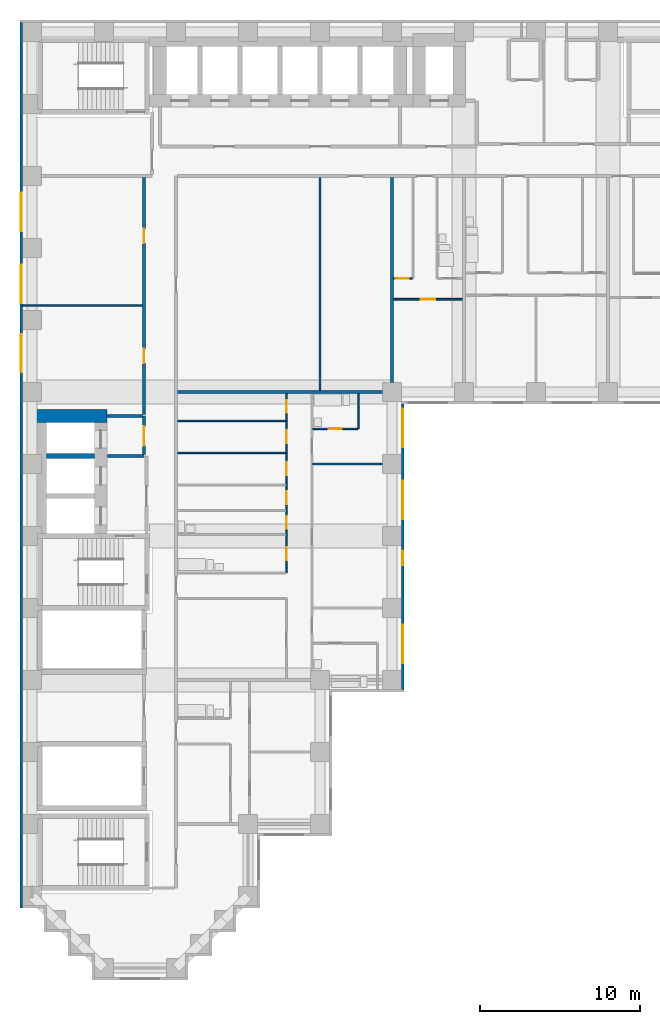
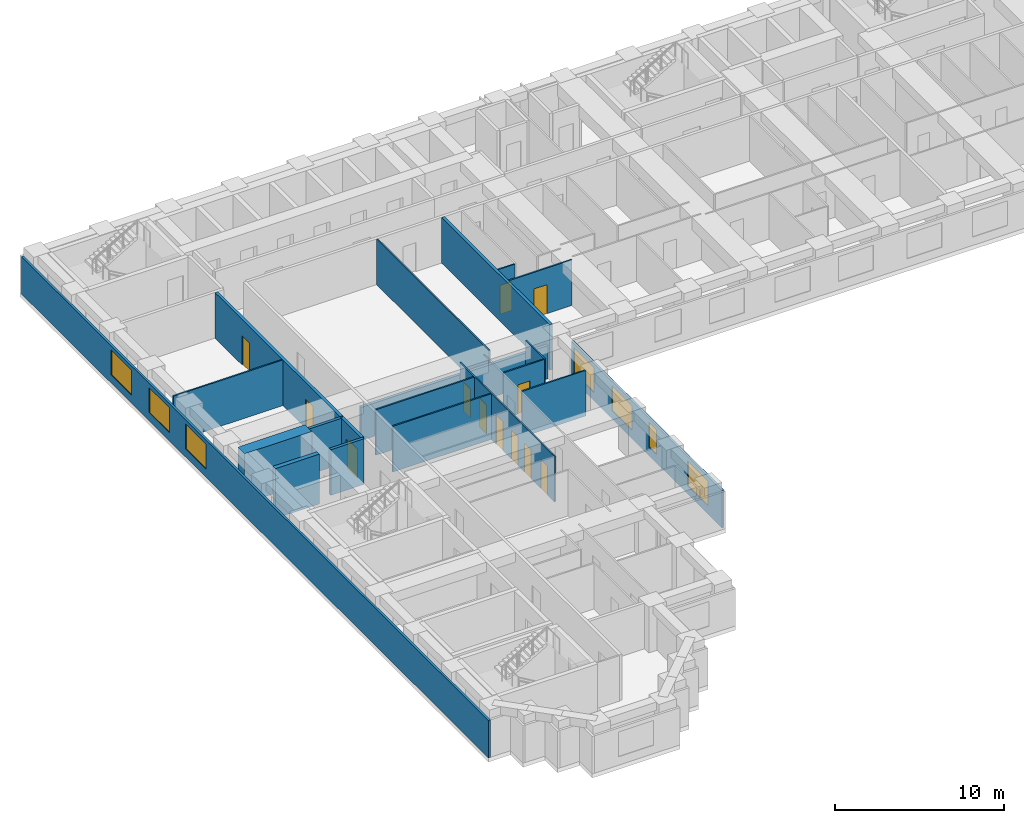
# One storey, part 4 of 12: 20 walls, 12 doors, 7 windows, 19 openings.
"""IFC4 building model written with IfcOpenShell, lengths in metres."""

from ifc_helpers import new_model, si_unit, direction, frame, frame_2d, origin, place, context, subcontext, project, spatial, rectangle, extrude, material, layer, layer_set, type_object, element, fill, save


model = new_model("IFC4")

# Units and contexts
model_context = context("Model", 3, precision=1e-05, world=origin(), true_north=direction((0.0, 1.0)))
body_context = subcontext(model_context, "Body", "Model", "MODEL_VIEW")
ifc_project = project(units=[si_unit("LENGTHUNIT", "METRE"), si_unit("AREAUNIT", "SQUARE_METRE"), si_unit("VOLUMEUNIT", "CUBIC_METRE"), si_unit("PLANEANGLEUNIT", "RADIAN"), si_unit("MASSUNIT", "GRAM", prefix="KILO")], contexts=[model_context])

# Site, building, storey
site_placement = place(None, origin())
site = spatial("IfcSite", under=ifc_project, at=site_placement, CompositionType="ELEMENT")
building_placement = place(site_placement, origin())
building = spatial("IfcBuilding", under=site, at=building_placement, Name="Firuza Court", CompositionType="ELEMENT")
storey_placement = place(building_placement, frame((0.0, 0.0, 101.0)))
storey = spatial("IfcBuildingStorey", under=building, at=storey_placement, Name="L25", CompositionType="ELEMENT", Elevation=101.0)

# Wall, opening, door
ifc_material_1 = material(Name="Moisture-resistant gypsum board partition")
ifc_layer_1 = layer(ifc_material_1, 0.10009765625)
ifc_layer_set_1 = layer_set([ifc_layer_1], Name="Moisture-resistant gypsum board partition")
wall_type_1 = type_object("IfcWallType", Name="Bathroom partition 100", PredefinedType="PLUMBINGWALL", material=ifc_layer_set_1)
wall_1_placement = place(storey_placement, frame((17.550048828125, 33.699951171875, 0.0), z_axis=(0.0, 0.0, 1.0), x_axis=(1.0, 0.0, 0.0)))
wall_1 = element("IfcWall", 1, at=wall_1_placement, inside=storey, type_object=wall_type_1, Name="Bathroom partition 100 L25", PredefinedType="PLUMBINGWALL", context=body_context, shape_type="SweptSolid", body=[
    extrude(rectangle(XDim=2.800048828125, YDim=0.10009765625, at=frame_2d((1.39990234375, 0.0))), origin(), (0.0, 0.0, 1.0), 3.300048828125),
])
opening_1_placement = place(wall_1_placement, frame((1.0, 0.0, 0.0)))
opening_1 = element("IfcOpeningElement", 2, at=opening_1_placement, cuts=wall_1, Name="Opening D25039", PredefinedType="OPENING", context=body_context, shape_type="SweptSolid", body=[
    extrude(rectangle(XDim=0.800048828125, YDim=2.10009765625, at=frame_2d((0.39990234375, 1.050048828125))), frame((0.0, 0.06201171875, 0.0), z_axis=(0.0, -1.0, 0.0), x_axis=(1.0, 0.0, 0.0)), (0.0, 0.0, 1.0), 0.1240234375),
])
ifc_material_2 = material(Name="Timber door leaf in hardwood frame", Category="wood")
door_type_1 = type_object("IfcDoorType", Name="Bathroom door 800", OperationType="SINGLE_SWING_LEFT", PredefinedType="DOOR", material=ifc_material_2)
door_1_placement = place(opening_1_placement, origin())
door_1 = element("IfcDoor", 3, at=door_1_placement, inside=storey, type_object=door_type_1, Name="En-suite door", OperationType="SINGLE_SWING_LEFT", OverallHeight=2.10009765625, OverallWidth=0.800048828125, PredefinedType="DOOR", context=body_context, shape_type="SweptSolid", body=[
    extrude(rectangle(XDim=0.800048828125, YDim=2.10009765625, at=frame_2d((0.39990234375, 1.050048828125))), frame((0.0, 0.02490234375, 0.0), z_axis=(0.0, -1.0, 0.0), x_axis=(1.0, 0.0, 0.0)), (0.0, 0.0, 1.0), 0.050048828125),
])
fill(opening_1, door_1)

# Walls
wall_2_placement = place(storey_placement, frame((20.39990234375, 33.699951171875, 0.0), z_axis=(0.0, 0.0, 1.0), x_axis=(0.0, 1.0, 0.0)))
element("IfcWall", 4, at=wall_2_placement, inside=storey, type_object=wall_type_1, Name="Bathroom partition 100 L25", PredefinedType="PLUMBINGWALL", context=body_context, shape_type="SweptSolid", body=[
    extrude(rectangle(XDim=2.199951171875, YDim=0.10009765625, at=frame_2d((1.10009765625, 0.0))), origin(), (0.0, 0.0, 1.0), 3.300048828125),
])
ifc_material_3 = material(Name="Concrete C60/75", Category="concrete")
ifc_layer_2 = layer(ifc_material_3, 0.300048828125)
ifc_layer_set_2 = layer_set([ifc_layer_2], Name="Concrete C60/75")
wall_type_2 = type_object("IfcWallType", Name="Core wall 300 C60/75", PredefinedType="SHEAR", material=ifc_layer_set_2)
wall_3_placement = place(storey_placement, frame((0.89990234375, 32.0, -0.300048828125), z_axis=(0.0, 0.0, 1.0), x_axis=(1.0, 0.0, 0.0)))
element("IfcWall", 5, at=wall_3_placement, inside=storey, type_object=wall_type_2, Name="Core wall lift shaft L25", PredefinedType="SHEAR", context=body_context, shape_type="SweptSolid", body=[
    extrude(rectangle(XDim=3.0, YDim=0.300048828125, at=frame_2d((1.5, 0.0))), origin(), (0.0, 0.0, 1.0), 3.60009765625),
])
ifc_layer_3 = layer(ifc_material_3, 0.800048828125)
ifc_layer_set_3 = layer_set([ifc_layer_3], Name="Concrete C60/75")
wall_type_3 = type_object("IfcWallType", Name="Core wall 800 C60/75", PredefinedType="SHEAR", material=ifc_layer_set_3)
wall_4_placement = place(storey_placement, frame((0.10009765625, 34.5, -0.300048828125), z_axis=(0.0, 0.0, 1.0), x_axis=(1.0, 0.0, 0.0)))
element("IfcWall", 6, at=wall_4_placement, inside=storey, type_object=wall_type_3, Name="Core wall lift shaft L25", PredefinedType="SHEAR", context=body_context, shape_type="SweptSolid", body=[
    extrude(rectangle(XDim=4.599853515625, YDim=0.800048828125, at=frame_2d((2.2998046875, 0.0))), origin(), (0.0, 0.0, 1.0), 3.60009765625),
])

# Wall, openings, doors
ifc_material_4 = material(Name="Blockwork, plastered both sides", Category="masonry")
ifc_layer_4 = layer(ifc_material_4, 0.199951171875)
ifc_layer_set_4 = layer_set([ifc_layer_4], Name="Blockwork, plastered both sides")
wall_type_4 = type_object("IfcWallType", Name="Corridor wall 200", PredefinedType="PARTITIONING", material=ifc_layer_set_4)
wall_5_placement = place(storey_placement, frame((7.0, 34.60009765625, 0.0), z_axis=(0.0, 0.0, 1.0), x_axis=(0.0, 1.0, 0.0)))
wall_5 = element("IfcWall", 7, at=wall_5_placement, inside=storey, type_object=wall_type_4, Name="Corridor wall 200 L25", PredefinedType="PARTITIONING", context=body_context, shape_type="SweptSolid", body=[
    extrude(rectangle(XDim=14.7998046875, YDim=0.199951171875, at=frame_2d((7.39990234375, 0.0))), origin(), (0.0, 0.0, 1.0), 3.300048828125),
])
opening_2_placement = place(wall_5_placement, frame((3.199951171875, 0.0, 0.0)))
opening_2 = element("IfcOpeningElement", 8, at=opening_2_placement, cuts=wall_5, Name="Opening D25040", PredefinedType="OPENING", context=body_context, shape_type="SweptSolid", body=[
    extrude(rectangle(XDim=0.89990234375, YDim=2.10009765625, at=frame_2d((0.449951171875, 1.050048828125))), frame((0.0, 0.11181640625, 0.0), z_axis=(0.0, -1.0, 0.0), x_axis=(1.0, 0.0, 0.0)), (0.0, 0.0, 1.0), 0.223876953125),
])
opening_3_placement = place(wall_5_placement, frame((10.699951171875, 0.0, 0.0)))
opening_3 = element("IfcOpeningElement", 9, at=opening_3_placement, cuts=wall_5, Name="Opening D25041", PredefinedType="OPENING", context=body_context, shape_type="SweptSolid", body=[
    extrude(rectangle(XDim=0.89990234375, YDim=2.10009765625, at=frame_2d((0.449951171875, 1.050048828125))), frame((0.0, 0.11181640625, 0.0), z_axis=(0.0, -1.0, 0.0), x_axis=(1.0, 0.0, 0.0)), (0.0, 0.0, 1.0), 0.223876953125),
])
ifc_material_5 = material(Name="Timber door leaf in hardwood frame", Category="wood")
door_type_2 = type_object("IfcDoorType", Name="Room door 900 EI 30", OperationType="SINGLE_SWING_LEFT", PredefinedType="DOOR", material=ifc_material_5)
door_2_placement = place(opening_2_placement, origin())
door_2 = element("IfcDoor", 10, at=door_2_placement, inside=storey, type_object=door_type_2, Name="Meeting room door", OperationType="SINGLE_SWING_LEFT", OverallHeight=2.10009765625, OverallWidth=0.89990234375, PredefinedType="DOOR", context=body_context, shape_type="SweptSolid", body=[
    extrude(rectangle(XDim=0.89990234375, YDim=2.10009765625, at=frame_2d((0.449951171875, 1.050048828125))), frame((0.0, 0.02490234375, 0.0), z_axis=(0.0, -1.0, 0.0), x_axis=(1.0, 0.0, 0.0)), (0.0, 0.0, 1.0), 0.050048828125),
])
fill(opening_2, door_2)
door_3_placement = place(opening_3_placement, origin())
door_3 = element("IfcDoor", 11, at=door_3_placement, inside=storey, type_object=door_type_2, Name="Meeting room door", OperationType="SINGLE_SWING_LEFT", OverallHeight=2.10009765625, OverallWidth=0.89990234375, PredefinedType="DOOR", context=body_context, shape_type="SweptSolid", body=[
    extrude(rectangle(XDim=0.89990234375, YDim=2.10009765625, at=frame_2d((0.449951171875, 1.050048828125))), frame((0.0, 0.02490234375, 0.0), z_axis=(0.0, -1.0, 0.0), x_axis=(1.0, 0.0, 0.0)), (0.0, 0.0, 1.0), 0.050048828125),
])
fill(opening_3, door_3)

ifc_material_6 = material(Name="Timber stud partition, plasterboard both sides", Category="wood")
ifc_layer_5 = layer(ifc_material_6, 0.10009765625)
ifc_layer_set_5 = layer_set([ifc_layer_5], Name="Timber stud partition, plasterboard both sides")
wall_type_5 = type_object("IfcWallType", Name="Partition wall 100", PredefinedType="PARTITIONING", material=ifc_layer_set_5)
wall_6_placement = place(storey_placement, frame((15.89990234375, 24.699951171875, 0.0), z_axis=(0.0, 0.0, 1.0), x_axis=(0.0, 1.0, 0.0)))
wall_6 = element("IfcWall", 12, at=wall_6_placement, inside=storey, type_object=wall_type_5, Name="Partition wall 100 L25", PredefinedType="PARTITIONING", context=body_context, shape_type="SweptSolid", body=[
    extrude(rectangle(XDim=11.199951171875, YDim=0.10009765625, at=frame_2d((5.60009765625, 0.0))), origin(), (0.0, 0.0, 1.0), 3.300048828125),
])
opening_4_placement = place(wall_6_placement, frame((0.800048828125, 0.0, 0.0)))
opening_4 = element("IfcOpeningElement", 13, at=opening_4_placement, cuts=wall_6, Name="Opening D25033", PredefinedType="OPENING", context=body_context, shape_type="SweptSolid", body=[
    extrude(rectangle(XDim=0.800048828125, YDim=2.10009765625, at=frame_2d((0.39990234375, 1.050048828125))), frame((0.0, 0.06201171875, 0.0), z_axis=(0.0, -1.0, 0.0), x_axis=(1.0, 0.0, 0.0)), (0.0, 0.0, 1.0), 0.1240234375),
])
opening_5_placement = place(wall_6_placement, frame((8.10009765625, 0.0, 0.0)))
opening_5 = element("IfcOpeningElement", 14, at=opening_5_placement, cuts=wall_6, Name="Opening D25034", PredefinedType="OPENING", context=body_context, shape_type="SweptSolid", body=[
    extrude(rectangle(XDim=0.800048828125, YDim=2.10009765625, at=frame_2d((0.39990234375, 1.050048828125))), frame((0.0, 0.06201171875, 0.0), z_axis=(0.0, -1.0, 0.0), x_axis=(1.0, 0.0, 0.0)), (0.0, 0.0, 1.0), 0.1240234375),
])
opening_6_placement = place(wall_6_placement, frame((4.300048828125, 0.0, 0.0)))
opening_6 = element("IfcOpeningElement", 15, at=opening_6_placement, cuts=wall_6, Name="Opening D25035", PredefinedType="OPENING", context=body_context, shape_type="SweptSolid", body=[
    extrude(rectangle(XDim=0.800048828125, YDim=2.10009765625, at=frame_2d((0.39990234375, 1.050048828125))), frame((0.0, 0.06201171875, 0.0), z_axis=(0.0, -1.0, 0.0), x_axis=(1.0, 0.0, 0.0)), (0.0, 0.0, 1.0), 0.1240234375),
])
opening_7_placement = place(wall_6_placement, frame((6.10009765625, 0.0, 0.0)))
opening_7 = element("IfcOpeningElement", 16, at=opening_7_placement, cuts=wall_6, Name="Opening D25036", PredefinedType="OPENING", context=body_context, shape_type="SweptSolid", body=[
    extrude(rectangle(XDim=0.800048828125, YDim=2.10009765625, at=frame_2d((0.39990234375, 1.050048828125))), frame((0.0, 0.06201171875, 0.0), z_axis=(0.0, -1.0, 0.0), x_axis=(1.0, 0.0, 0.0)), (0.0, 0.0, 1.0), 0.1240234375),
])
opening_8_placement = place(wall_6_placement, frame((10.0, 0.0, 0.0)))
opening_8 = element("IfcOpeningElement", 17, at=opening_8_placement, cuts=wall_6, Name="Opening D25037", PredefinedType="OPENING", context=body_context, shape_type="SweptSolid", body=[
    extrude(rectangle(XDim=0.800048828125, YDim=2.10009765625, at=frame_2d((0.39990234375, 1.050048828125))), frame((0.0, 0.06201171875, 0.0), z_axis=(0.0, -1.0, 0.0), x_axis=(1.0, 0.0, 0.0)), (0.0, 0.0, 1.0), 0.1240234375),
])
opening_9_placement = place(wall_6_placement, frame((2.75, 0.0, 0.0)))
opening_9 = element("IfcOpeningElement", 18, at=opening_9_placement, cuts=wall_6, Name="Opening D25038", PredefinedType="OPENING", context=body_context, shape_type="SweptSolid", body=[
    extrude(rectangle(XDim=0.800048828125, YDim=2.10009765625, at=frame_2d((0.39990234375, 1.050048828125))), frame((0.0, 0.06201171875, 0.0), z_axis=(0.0, -1.0, 0.0), x_axis=(1.0, 0.0, 0.0)), (0.0, 0.0, 1.0), 0.1240234375),
])
door_4_placement = place(opening_4_placement, origin())
door_4 = element("IfcDoor", 19, at=door_4_placement, inside=storey, type_object=door_type_1, Name="Bathroom door", OperationType="SINGLE_SWING_LEFT", OverallHeight=2.10009765625, OverallWidth=0.800048828125, PredefinedType="DOOR", context=body_context, shape_type="SweptSolid", body=[
    extrude(rectangle(XDim=0.800048828125, YDim=2.10009765625, at=frame_2d((0.39990234375, 1.050048828125))), frame((0.0, 0.02490234375, 0.0), z_axis=(0.0, -1.0, 0.0), x_axis=(1.0, 0.0, 0.0)), (0.0, 0.0, 1.0), 0.050048828125),
])
fill(opening_4, door_4)
door_5_placement = place(opening_9_placement, origin())
door_5 = element("IfcDoor", 20, at=door_5_placement, inside=storey, type_object=door_type_1, Name="Powder room door", OperationType="SINGLE_SWING_LEFT", OverallHeight=2.10009765625, OverallWidth=0.800048828125, PredefinedType="DOOR", context=body_context, shape_type="SweptSolid", body=[
    extrude(rectangle(XDim=0.800048828125, YDim=2.10009765625, at=frame_2d((0.39990234375, 1.050048828125))), frame((0.0, 0.02490234375, 0.0), z_axis=(0.0, -1.0, 0.0), x_axis=(1.0, 0.0, 0.0)), (0.0, 0.0, 1.0), 0.050048828125),
])
fill(opening_9, door_5)
ifc_material_7 = material(Name="Timber door leaf in hardwood frame", Category="wood")
door_type_3 = type_object("IfcDoorType", Name="Room door 800", OperationType="SINGLE_SWING_LEFT", PredefinedType="DOOR", material=ifc_material_7)
door_6_placement = place(opening_5_placement, origin())
door_6 = element("IfcDoor", 21, at=door_6_placement, inside=storey, type_object=door_type_3, Name="Pantry door", OperationType="SINGLE_SWING_LEFT", OverallHeight=2.10009765625, OverallWidth=0.800048828125, PredefinedType="DOOR", context=body_context, shape_type="SweptSolid", body=[
    extrude(rectangle(XDim=0.800048828125, YDim=2.10009765625, at=frame_2d((0.39990234375, 1.050048828125))), frame((0.0, 0.02490234375, 0.0), z_axis=(0.0, -1.0, 0.0), x_axis=(1.0, 0.0, 0.0)), (0.0, 0.0, 1.0), 0.050048828125),
])
fill(opening_5, door_6)
door_7_placement = place(opening_6_placement, origin())
door_7 = element("IfcDoor", 22, at=door_7_placement, inside=storey, type_object=door_type_3, Name="Store door", OperationType="SINGLE_SWING_LEFT", OverallHeight=2.10009765625, OverallWidth=0.800048828125, PredefinedType="DOOR", context=body_context, shape_type="SweptSolid", body=[
    extrude(rectangle(XDim=0.800048828125, YDim=2.10009765625, at=frame_2d((0.39990234375, 1.050048828125))), frame((0.0, 0.02490234375, 0.0), z_axis=(0.0, -1.0, 0.0), x_axis=(1.0, 0.0, 0.0)), (0.0, 0.0, 1.0), 0.050048828125),
])
fill(opening_6, door_7)
door_8_placement = place(opening_7_placement, origin())
door_8 = element("IfcDoor", 23, at=door_8_placement, inside=storey, type_object=door_type_3, Name="Utility room door", OperationType="SINGLE_SWING_LEFT", OverallHeight=2.10009765625, OverallWidth=0.800048828125, PredefinedType="DOOR", context=body_context, shape_type="SweptSolid", body=[
    extrude(rectangle(XDim=0.800048828125, YDim=2.10009765625, at=frame_2d((0.39990234375, 1.050048828125))), frame((0.0, 0.02490234375, 0.0), z_axis=(0.0, -1.0, 0.0), x_axis=(1.0, 0.0, 0.0)), (0.0, 0.0, 1.0), 0.050048828125),
])
fill(opening_7, door_8)
door_9_placement = place(opening_8_placement, origin())
door_9 = element("IfcDoor", 24, at=door_9_placement, inside=storey, type_object=door_type_3, Name="Walk-in wardrobe door", OperationType="SINGLE_SWING_LEFT", OverallHeight=2.10009765625, OverallWidth=0.800048828125, PredefinedType="DOOR", context=body_context, shape_type="SweptSolid", body=[
    extrude(rectangle(XDim=0.800048828125, YDim=2.10009765625, at=frame_2d((0.39990234375, 1.050048828125))), frame((0.0, 0.02490234375, 0.0), z_axis=(0.0, -1.0, 0.0), x_axis=(1.0, 0.0, 0.0)), (0.0, 0.0, 1.0), 0.050048828125),
])
fill(opening_8, door_9)

# Walls
wall_7_placement = place(storey_placement, frame((17.550048828125, 31.5, 0.0), z_axis=(0.0, 0.0, 1.0), x_axis=(1.0, 0.0, 0.0)))
element("IfcWall", 25, at=wall_7_placement, inside=storey, type_object=wall_type_5, Name="Partition wall 100 L25", PredefinedType="PARTITIONING", context=body_context, shape_type="SweptSolid", body=[
    extrude(rectangle(XDim=4.349853515625, YDim=0.10009765625, at=frame_2d((2.1748046875, 0.0))), origin(), (0.0, 0.0, 1.0), 3.300048828125),
])
for number, where, z_axis, x_axis, name in (
    (26, (9.10009765625, 32.199951171875, 0.0), (0.0, 0.0, 1.0), (1.0, 0.0, 0.0), "Partition wall 100 L25"),
    (27, (9.10009765625, 34.199951171875, 0.0), (0.0, 0.0, 1.0), (1.0, 0.0, 0.0), "Partition wall 100 L25"),
):
    element("IfcWall", number, at=place(storey_placement, frame(where, z_axis=z_axis, x_axis=x_axis)), inside=storey, type_object=wall_type_5, Name=name, PredefinedType="PARTITIONING", context=body_context, shape_type="SweptSolid", body=[
        extrude(rectangle(XDim=6.75, YDim=0.10009765625, at=frame_2d((3.375, 0.0))), origin(), (0.0, 0.0, 1.0), 3.300048828125),
    ])
wall_8_placement = place(storey_placement, frame((18.0, 36.10009765625, 0.0), z_axis=(0.0, 0.0, 1.0), x_axis=(0.0, 1.0, 0.0)))
element("IfcWall", 28, at=wall_8_placement, inside=storey, type_object=wall_type_5, Name="Partition wall 100 L25", PredefinedType="PARTITIONING", context=body_context, shape_type="SweptSolid", body=[
    extrude(rectangle(XDim=13.2998046875, YDim=0.10009765625, at=frame_2d((6.64990234375, 0.0))), origin(), (0.0, 0.0, 1.0), 3.300048828125),
])
wall_9_placement = place(storey_placement, frame((-0.60009765625, 41.39990234375, 0.0), z_axis=(0.0, 0.0, 1.0), x_axis=(1.0, 0.0, 0.0)))
element("IfcWall", 29, at=wall_9_placement, inside=storey, type_object=wall_type_5, Name="Partition wall 100 L25", PredefinedType="PARTITIONING", context=body_context, shape_type="SweptSolid", body=[
    extrude(rectangle(XDim=7.5, YDim=0.10009765625, at=frame_2d((3.75, 0.0))), origin(), (0.0, 0.0, 1.0), 3.300048828125),
])

# Wall, opening, door
wall_10_placement = place(storey_placement, frame((22.60009765625, 41.800048828125, 0.0), z_axis=(0.0, 0.0, 1.0), x_axis=(1.0, 0.0, 0.0)))
wall_10 = element("IfcWall", 30, at=wall_10_placement, inside=storey, type_object=wall_type_5, Name="Partition wall 100 L25", PredefinedType="PARTITIONING", context=body_context, shape_type="SweptSolid", body=[
    extrude(rectangle(XDim=4.2998046875, YDim=0.10009765625, at=frame_2d((2.14990234375, 0.0))), origin(), (0.0, 0.0, 1.0), 3.300048828125),
])
opening_10_placement = place(wall_10_placement, frame((1.699951171875, 0.0, 0.0)))
opening_10 = element("IfcOpeningElement", 31, at=opening_10_placement, cuts=wall_10, Name="Opening D25047", PredefinedType="OPENING", context=body_context, shape_type="SweptSolid", body=[
    extrude(rectangle(XDim=0.89990234375, YDim=2.10009765625, at=frame_2d((0.449951171875, 1.050048828125))), frame((0.0, 0.06201171875, 0.0), z_axis=(0.0, -1.0, 0.0), x_axis=(1.0, 0.0, 0.0)), (0.0, 0.0, 1.0), 0.1240234375),
])
ifc_material_8 = material(Name="Timber door leaf in hardwood frame", Category="wood")
door_type_4 = type_object("IfcDoorType", Name="Room door 900", OperationType="SINGLE_SWING_LEFT", PredefinedType="DOOR", material=ifc_material_8)
door_10_placement = place(opening_10_placement, frame((0.89990234375, 0.0, 0.0), z_axis=(0.0, 0.0, 1.0), x_axis=(-1.0, 0.0, 0.0)))
door_10 = element("IfcDoor", 32, at=door_10_placement, inside=storey, type_object=door_type_4, Name="Studio room door", OperationType="SINGLE_SWING_RIGHT", OverallHeight=2.10009765625, OverallWidth=0.89990234375, PredefinedType="DOOR", context=body_context, shape_type="SweptSolid", body=[
    extrude(rectangle(XDim=0.89990234375, YDim=2.10009765625, at=frame_2d((0.449951171875, 1.050048828125))), frame((0.0, 0.02490234375, 0.0), z_axis=(0.0, -1.0, 0.0), x_axis=(1.0, 0.0, 0.0)), (0.0, 0.0, 1.0), 0.050048828125),
])
fill(opening_10, door_10)

wall_11_placement = place(storey_placement, frame((22.60009765625, 43.10009765625, 0.0), z_axis=(0.0, 0.0, 1.0), x_axis=(1.0, 0.0, 0.0)))
wall_11 = element("IfcWall", 33, at=wall_11_placement, inside=storey, type_object=wall_type_5, Name="Partition wall 100 L25", PredefinedType="PARTITIONING", context=body_context, shape_type="SweptSolid", body=[
    extrude(rectangle(XDim=1.14990234375, YDim=0.10009765625, at=frame_2d((0.574951171875, 0.0))), origin(), (0.0, 0.0, 1.0), 3.300048828125),
])
opening_11_placement = place(wall_11_placement, frame((0.14990234375, 0.0, 0.0)))
opening_11 = element("IfcOpeningElement", 34, at=opening_11_placement, cuts=wall_11, Name="Opening D25053", PredefinedType="OPENING", context=body_context, shape_type="SweptSolid", body=[
    extrude(rectangle(XDim=0.800048828125, YDim=2.10009765625, at=frame_2d((0.39990234375, 1.050048828125))), frame((0.0, 0.06201171875, 0.0), z_axis=(0.0, -1.0, 0.0), x_axis=(1.0, 0.0, 0.0)), (0.0, 0.0, 1.0), 0.1240234375),
])
door_11_placement = place(opening_11_placement, origin())
door_11 = element("IfcDoor", 35, at=door_11_placement, inside=storey, type_object=door_type_3, Name="Kitchen door", OperationType="SINGLE_SWING_LEFT", OverallHeight=2.10009765625, OverallWidth=0.800048828125, PredefinedType="DOOR", context=body_context, shape_type="SweptSolid", body=[
    extrude(rectangle(XDim=0.800048828125, YDim=2.10009765625, at=frame_2d((0.39990234375, 1.050048828125))), frame((0.0, 0.02490234375, 0.0), z_axis=(0.0, -1.0, 0.0), x_axis=(1.0, 0.0, 0.0)), (0.0, 0.0, 1.0), 0.050048828125),
])
fill(opening_11, door_11)

# Walls
ifc_layer_6 = layer(ifc_material_4, 0.199951171875)
ifc_layer_set_6 = layer_set([ifc_layer_6], Name="Blockwork, plastered both sides")
wall_type_6 = type_object("IfcWallType", Name="Party wall 200", PredefinedType="PARTITIONING", material=ifc_layer_set_6)
wall_12_placement = place(storey_placement, frame((9.10009765625, 36.0, 0.0), z_axis=(0.0, 0.0, 1.0), x_axis=(1.0, 0.0, 0.0)))
element("IfcWall", 36, at=wall_12_placement, inside=storey, type_object=wall_type_6, Name="Party wall 200 L25", PredefinedType="PARTITIONING", context=body_context, shape_type="SweptSolid", body=[
    extrude(rectangle(XDim=12.7998046875, YDim=0.199951171875, at=frame_2d((6.39990234375, 0.0))), origin(), (0.0, 0.0, 1.0), 2.39990234375),
])
wall_13_placement = place(storey_placement, frame((22.5, 36.60009765625, 0.0), z_axis=(0.0, 0.0, 1.0), x_axis=(0.0, 1.0, 0.0)))
element("IfcWall", 37, at=wall_13_placement, inside=storey, type_object=wall_type_6, Name="Party wall 200 L25", PredefinedType="PARTITIONING", context=body_context, shape_type="SweptSolid", body=[
    extrude(rectangle(XDim=12.7998046875, YDim=0.199951171875, at=frame_2d((6.39990234375, 0.0))), origin(), (0.0, 0.0, 1.0), 3.300048828125),
])

# Wall, openings, windows
ifc_material_9 = material(Name="Ceramic tile", Category="ceramic")
ifc_layer_7 = layer(ifc_material_9, 0.02001953125)
ifc_material_10 = material(Name="Mineral wool insulation", Category="insulation")
ifc_layer_8 = layer(ifc_material_10, 0.050048828125)
ifc_material_11 = material(Name="Concrete C40/50 precast", Category="concrete")
ifc_layer_9 = layer(ifc_material_11, 0.080078125)
ifc_layer_set_7 = layer_set([ifc_layer_7, ifc_layer_8, ifc_layer_9], Name="Concrete C40/50 precast")
wall_type_7 = type_object("IfcWallType", Name="Precast cladding wall with turquoise TILE PANEL face 150", PredefinedType="STANDARD", material=ifc_layer_set_7)
wall_14_placement = place(storey_placement, frame((23.175048828125, 17.39990234375, 0.0), z_axis=(0.0, 0.0, 1.0), x_axis=(0.0, 1.0, 0.0)))
wall_14 = element("IfcWall", 38, at=wall_14_placement, inside=storey, type_object=wall_type_7, Name="Facade wall L25 E", PredefinedType="STANDARD", context=body_context, shape_type="SweptSolid", body=[
    extrude(rectangle(XDim=17.85009765625, YDim=0.14990234375, at=frame_2d((8.925048828125, 0.0))), origin(), (0.0, 0.0, 1.0), 2.699951171875),
])
opening_12_placement = place(wall_14_placement, frame((1.64990234375, 0.0, 0.60009765625)))
opening_12 = element("IfcOpeningElement", 39, at=opening_12_placement, cuts=wall_14, Name="Opening W1", PredefinedType="OPENING", context=body_context, shape_type="SweptSolid", body=[
    extrude(rectangle(XDim=2.39990234375, YDim=1.800048828125, at=frame_2d((1.199951171875, 0.89990234375))), frame((0.0, 0.0869140625, 0.0), z_axis=(0.0, -1.0, 0.0), x_axis=(1.0, 0.0, 0.0)), (0.0, 0.0, 1.0), 0.173828125),
])
opening_13_placement = place(wall_14_placement, frame((7.769287109375, 0.0, 0.60009765625)))
opening_13 = element("IfcOpeningElement", 40, at=opening_13_placement, cuts=wall_14, Name="Opening W3", PredefinedType="OPENING", context=body_context, shape_type="SweptSolid", body=[
    extrude(rectangle(XDim=0.89990234375, YDim=1.800048828125, at=frame_2d((0.449951171875, 0.89990234375))), frame((0.0, 0.0869140625, 0.0), z_axis=(0.0, -1.0, 0.0), x_axis=(1.0, 0.0, 0.0)), (0.0, 0.0, 1.0), 0.173828125),
])
opening_14_placement = place(wall_14_placement, frame((10.64990234375, 0.0, 0.60009765625)))
opening_14 = element("IfcOpeningElement", 41, at=opening_14_placement, cuts=wall_14, Name="Opening W1", PredefinedType="OPENING", context=body_context, shape_type="SweptSolid", body=[
    extrude(rectangle(XDim=2.39990234375, YDim=1.800048828125, at=frame_2d((1.199951171875, 0.89990234375))), frame((0.0, 0.0869140625, 0.0), z_axis=(0.0, -1.0, 0.0), x_axis=(1.0, 0.0, 0.0)), (0.0, 0.0, 1.0), 0.173828125),
])
opening_15_placement = place(wall_14_placement, frame((15.14990234375, 0.0, 0.60009765625)))
opening_15 = element("IfcOpeningElement", 42, at=opening_15_placement, cuts=wall_14, Name="Opening W1", PredefinedType="OPENING", context=body_context, shape_type="SweptSolid", body=[
    extrude(rectangle(XDim=2.39990234375, YDim=1.800048828125, at=frame_2d((1.199951171875, 0.89990234375))), frame((0.0, 0.0869140625, 0.0), z_axis=(0.0, -1.0, 0.0), x_axis=(1.0, 0.0, 0.0)), (0.0, 0.0, 1.0), 0.173828125),
])
ifc_material_12 = material(Name="Aluminium frame, triple clear glazing", Category="aluminium")
window_type_1 = type_object("IfcWindowType", Name="Window W1 2400 x 1800", PartitioningType="SINGLE_PANEL", PredefinedType="WINDOW", material=ifc_material_12)
window_1_placement = place(opening_12_placement, origin())
window_1 = element("IfcWindow", 43, at=window_1_placement, inside=storey, type_object=window_type_1, Name="Window L25", OverallHeight=1.800048828125, OverallWidth=2.39990234375, PartitioningType="SINGLE_PANEL", PredefinedType="WINDOW", context=body_context, shape_type="SweptSolid", body=[
    extrude(rectangle(XDim=2.39990234375, YDim=1.800048828125, at=frame_2d((1.199951171875, 0.89990234375))), frame((0.0, 0.030029296875, 0.0), z_axis=(0.0, -1.0, 0.0), x_axis=(1.0, 0.0, 0.0)), (0.0, 0.0, 1.0), 0.06005859375),
])
fill(opening_12, window_1)
window_2_placement = place(opening_14_placement, origin())
window_2 = element("IfcWindow", 44, at=window_2_placement, inside=storey, type_object=window_type_1, Name="Window L25", OverallHeight=1.800048828125, OverallWidth=2.39990234375, PartitioningType="SINGLE_PANEL", PredefinedType="WINDOW", context=body_context, shape_type="SweptSolid", body=[
    extrude(rectangle(XDim=2.39990234375, YDim=1.800048828125, at=frame_2d((1.199951171875, 0.89990234375))), frame((0.0, 0.030029296875, 0.0), z_axis=(0.0, -1.0, 0.0), x_axis=(1.0, 0.0, 0.0)), (0.0, 0.0, 1.0), 0.06005859375),
])
fill(opening_14, window_2)
window_3_placement = place(opening_15_placement, origin())
window_3 = element("IfcWindow", 45, at=window_3_placement, inside=storey, type_object=window_type_1, Name="Window L25", OverallHeight=1.800048828125, OverallWidth=2.39990234375, PartitioningType="SINGLE_PANEL", PredefinedType="WINDOW", context=body_context, shape_type="SweptSolid", body=[
    extrude(rectangle(XDim=2.39990234375, YDim=1.800048828125, at=frame_2d((1.199951171875, 0.89990234375))), frame((0.0, 0.030029296875, 0.0), z_axis=(0.0, -1.0, 0.0), x_axis=(1.0, 0.0, 0.0)), (0.0, 0.0, 1.0), 0.06005859375),
])
fill(opening_15, window_3)
ifc_material_13 = material(Name="Aluminium frame, triple clear glazing", Category="aluminium")
window_type_2 = type_object("IfcWindowType", Name="Window W3 900 x 1800", PartitioningType="SINGLE_PANEL", PredefinedType="WINDOW", material=ifc_material_13)
window_4_placement = place(opening_13_placement, origin())
window_4 = element("IfcWindow", 46, at=window_4_placement, inside=storey, type_object=window_type_2, Name="Window L25", OverallHeight=1.800048828125, OverallWidth=0.89990234375, PartitioningType="SINGLE_PANEL", PredefinedType="WINDOW", context=body_context, shape_type="SweptSolid", body=[
    extrude(rectangle(XDim=0.89990234375, YDim=1.800048828125, at=frame_2d((0.449951171875, 0.89990234375))), frame((0.0, 0.030029296875, 0.0), z_axis=(0.0, -1.0, 0.0), x_axis=(1.0, 0.0, 0.0)), (0.0, 0.0, 1.0), 0.06005859375),
])
fill(opening_13, window_4)

wall_15_placement = place(storey_placement, frame((-0.675048828125, 59.10009765625, 0.0), z_axis=(0.0, 0.0, 1.0), x_axis=(0.0, -1.0, 0.0)))
wall_15 = element("IfcWall", 47, at=wall_15_placement, inside=storey, type_object=wall_type_7, Name="Facade wall L25 W", PredefinedType="STANDARD", context=body_context, shape_type="SweptSolid", body=[
    extrude(rectangle(XDim=55.35009765625, YDim=0.14990234375, at=frame_2d((27.675048828125, 0.0))), origin(), (0.0, 0.0, 1.0), 2.699951171875),
])
opening_16_placement = place(wall_15_placement, frame((10.64990234375, 0.0, 0.60009765625)))
opening_16 = element("IfcOpeningElement", 48, at=opening_16_placement, cuts=wall_15, Name="Opening W1", PredefinedType="OPENING", context=body_context, shape_type="SweptSolid", body=[
    extrude(rectangle(XDim=2.39990234375, YDim=1.800048828125, at=frame_2d((1.199951171875, 0.89990234375))), frame((0.0, 0.0869140625, 0.0), z_axis=(0.0, -1.0, 0.0), x_axis=(1.0, 0.0, 0.0)), (0.0, 0.0, 1.0), 0.173828125),
])
opening_17_placement = place(wall_15_placement, frame((15.14990234375, 0.0, 0.60009765625)))
opening_17 = element("IfcOpeningElement", 49, at=opening_17_placement, cuts=wall_15, Name="Opening W1", PredefinedType="OPENING", context=body_context, shape_type="SweptSolid", body=[
    extrude(rectangle(XDim=2.39990234375, YDim=1.800048828125, at=frame_2d((1.199951171875, 0.89990234375))), frame((0.0, 0.0869140625, 0.0), z_axis=(0.0, -1.0, 0.0), x_axis=(1.0, 0.0, 0.0)), (0.0, 0.0, 1.0), 0.173828125),
])
opening_18_placement = place(wall_15_placement, frame((19.47607421875, 0.0, 0.60009765625)))
opening_18 = element("IfcOpeningElement", 50, at=opening_18_placement, cuts=wall_15, Name="Opening W1", PredefinedType="OPENING", context=body_context, shape_type="SweptSolid", body=[
    extrude(rectangle(XDim=2.39990234375, YDim=1.800048828125, at=frame_2d((1.199951171875, 0.89990234375))), frame((0.0, 0.0869140625, 0.0), z_axis=(0.0, -1.0, 0.0), x_axis=(1.0, 0.0, 0.0)), (0.0, 0.0, 1.0), 0.173828125),
])
window_5_placement = place(opening_16_placement, origin())
window_5 = element("IfcWindow", 51, at=window_5_placement, inside=storey, type_object=window_type_1, Name="Window L25", OverallHeight=1.800048828125, OverallWidth=2.39990234375, PartitioningType="SINGLE_PANEL", PredefinedType="WINDOW", context=body_context, shape_type="SweptSolid", body=[
    extrude(rectangle(XDim=2.39990234375, YDim=1.800048828125, at=frame_2d((1.199951171875, 0.89990234375))), frame((0.0, 0.030029296875, 0.0), z_axis=(0.0, -1.0, 0.0), x_axis=(1.0, 0.0, 0.0)), (0.0, 0.0, 1.0), 0.06005859375),
])
fill(opening_16, window_5)
window_6_placement = place(opening_17_placement, origin())
window_6 = element("IfcWindow", 52, at=window_6_placement, inside=storey, type_object=window_type_1, Name="Window L25", OverallHeight=1.800048828125, OverallWidth=2.39990234375, PartitioningType="SINGLE_PANEL", PredefinedType="WINDOW", context=body_context, shape_type="SweptSolid", body=[
    extrude(rectangle(XDim=2.39990234375, YDim=1.800048828125, at=frame_2d((1.199951171875, 0.89990234375))), frame((0.0, 0.030029296875, 0.0), z_axis=(0.0, -1.0, 0.0), x_axis=(1.0, 0.0, 0.0)), (0.0, 0.0, 1.0), 0.06005859375),
])
fill(opening_17, window_6)
window_7_placement = place(opening_18_placement, origin())
window_7 = element("IfcWindow", 53, at=window_7_placement, inside=storey, type_object=window_type_1, Name="Window L25", OverallHeight=1.800048828125, OverallWidth=2.39990234375, PartitioningType="SINGLE_PANEL", PredefinedType="WINDOW", context=body_context, shape_type="SweptSolid", body=[
    extrude(rectangle(XDim=2.39990234375, YDim=1.800048828125, at=frame_2d((1.199951171875, 0.89990234375))), frame((0.0, 0.030029296875, 0.0), z_axis=(0.0, -1.0, 0.0), x_axis=(1.0, 0.0, 0.0)), (0.0, 0.0, 1.0), 0.06005859375),
])
fill(opening_18, window_7)

# Wall
ifc_material_14 = material(Name="Blockwork, fire-rated", Category="masonry")
ifc_layer_10 = layer(ifc_material_14, 0.199951171875)
ifc_layer_set_8 = layer_set([ifc_layer_10], Name="Blockwork, fire-rated")
wall_type_8 = type_object("IfcWallType", Name="Shaft wall 200", PredefinedType="PARTITIONING", material=ifc_layer_set_8)
wall_16_placement = place(storey_placement, frame((4.719970703125, 32.0, 0.0), z_axis=(0.0, 0.0, 1.0), x_axis=(1.0, 0.0, 0.0)))
element("IfcWall", 54, at=wall_16_placement, inside=storey, type_object=wall_type_8, Name="Shaft wall 200 L25", PredefinedType="PARTITIONING", context=body_context, shape_type="SweptSolid", body=[
    extrude(rectangle(XDim=2.280029296875, YDim=0.199951171875, at=frame_2d((1.14013671875, 0.0))), origin(), (0.0, 0.0, 1.0), 3.300048828125),
])

# Wall, opening, door
wall_17_placement = place(storey_placement, frame((7.0, 32.10009765625, 0.0), z_axis=(0.0, 0.0, 1.0), x_axis=(0.0, 1.0, 0.0)))
wall_17 = element("IfcWall", 55, at=wall_17_placement, inside=storey, type_object=wall_type_8, Name="Shaft wall 200 L25", PredefinedType="PARTITIONING", context=body_context, shape_type="SweptSolid", body=[
    extrude(rectangle(XDim=2.39990234375, YDim=0.199951171875, at=frame_2d((1.199951171875, 0.0))), origin(), (0.0, 0.0, 1.0), 3.300048828125),
])
opening_19_placement = place(wall_17_placement, frame((0.550048828125, 0.0, 0.0)))
opening_19 = element("IfcOpeningElement", 56, at=opening_19_placement, cuts=wall_17, Name="Opening D25008", PredefinedType="OPENING", context=body_context, shape_type="SweptSolid", body=[
    extrude(rectangle(XDim=1.199951171875, YDim=2.10009765625, at=frame_2d((0.60009765625, 1.050048828125))), frame((0.0, 0.11181640625, 0.0), z_axis=(0.0, -1.0, 0.0), x_axis=(1.0, 0.0, 0.0)), (0.0, 0.0, 1.0), 0.223876953125),
])
ifc_material_15 = material(Name="Timber door leaf in hardwood frame", Category="wood")
door_type_5 = type_object("IfcDoorType", Name="Lobby door 1200", OperationType="SINGLE_SWING_LEFT", PredefinedType="DOOR", material=ifc_material_15)
door_12_placement = place(opening_19_placement, origin())
door_12 = element("IfcDoor", 57, at=door_12_placement, inside=storey, type_object=door_type_5, Name="Lobby door", OperationType="SINGLE_SWING_LEFT", OverallHeight=2.10009765625, OverallWidth=1.199951171875, PredefinedType="DOOR", context=body_context, shape_type="SweptSolid", body=[
    extrude(rectangle(XDim=1.199951171875, YDim=2.10009765625, at=frame_2d((0.60009765625, 1.050048828125))), frame((0.0, 0.02490234375, 0.0), z_axis=(0.0, -1.0, 0.0), x_axis=(1.0, 0.0, 0.0)), (0.0, 0.0, 1.0), 0.050048828125),
])
fill(opening_19, door_12)

# Wall
wall_18_placement = place(storey_placement, frame((4.699951171875, 34.5, 0.0), z_axis=(0.0, 0.0, 1.0), x_axis=(1.0, 0.0, 0.0)))
element("IfcWall", 58, at=wall_18_placement, inside=storey, type_object=wall_type_8, Name="Shaft wall 200 L25", PredefinedType="PARTITIONING", context=body_context, shape_type="SweptSolid", body=[
    extrude(rectangle(XDim=2.199951171875, YDim=0.199951171875, at=frame_2d((1.10009765625, 0.0))), origin(), (0.0, 0.0, 1.0), 3.300048828125),
])

save(model, "model.ifc")
